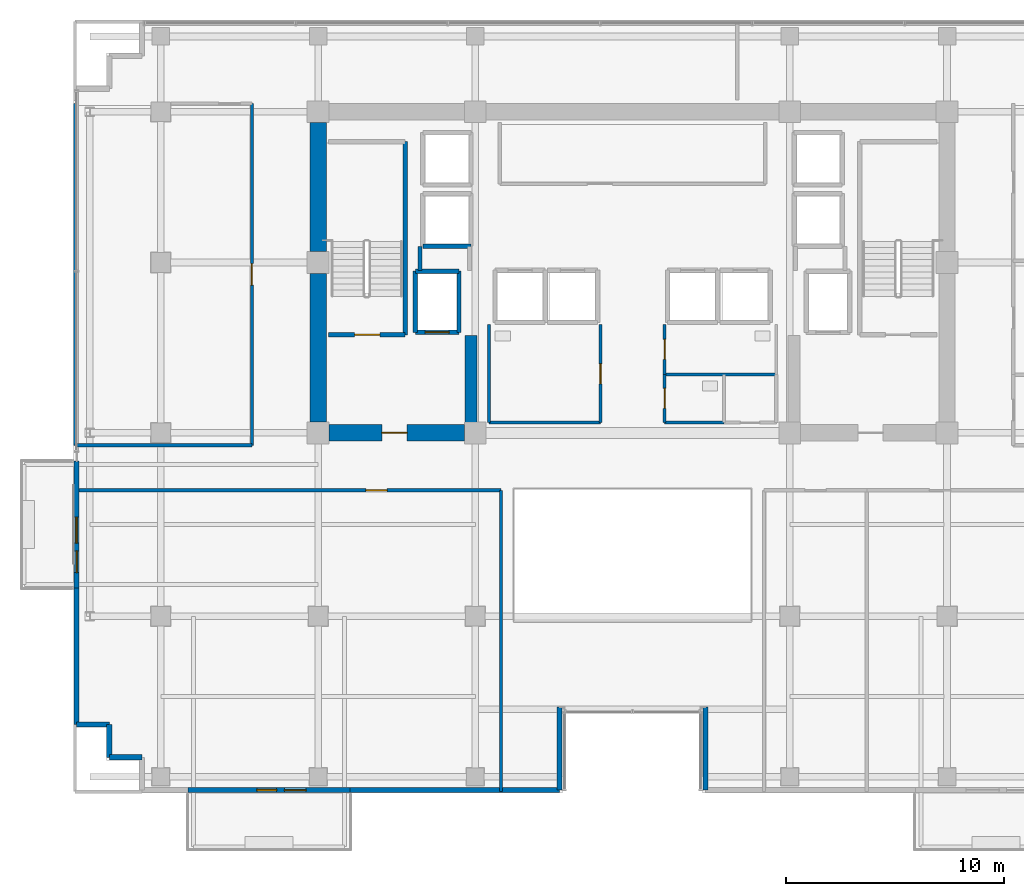
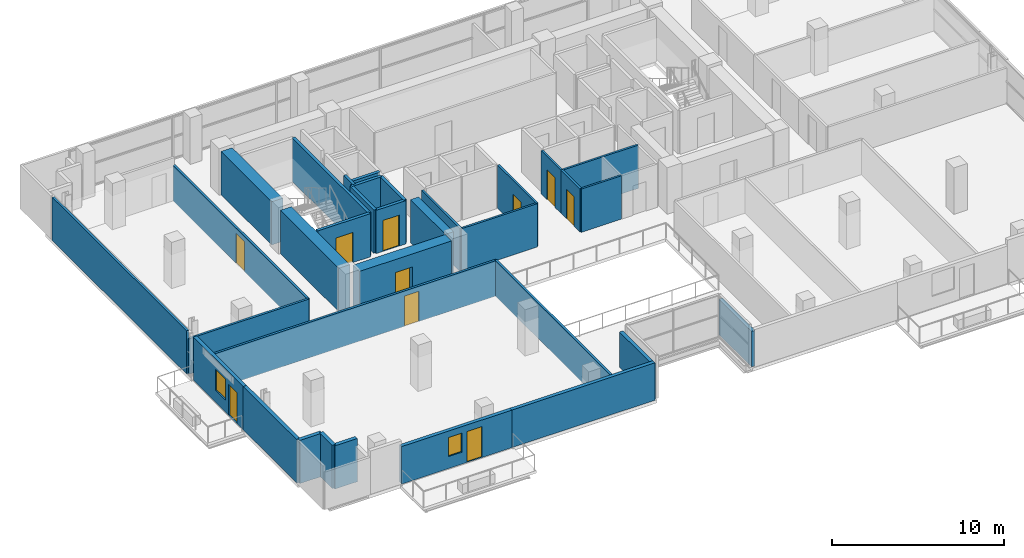
# One storey, part 15 of 23: 33 walls, 10 doors, 2 windows, 12 openings.
"""IFC4 building model written with IfcOpenShell, lengths in metres."""

from ifc_helpers import new_model, si_unit, direction, frame, frame_2d, origin, place, context, subcontext, project, spatial, rectangle, extrude, source, transform, mapped, material, layer, layer_set, type_object, element, fill, save


model = new_model("IFC4")

# Units and contexts
model_context = context("Model", 3, precision=1e-05, world=origin(), true_north=direction((0.0, 1.0)))
body_context = subcontext(model_context, "Body", "Model", "MODEL_VIEW")
ifc_project = project(units=[si_unit("LENGTHUNIT", "METRE"), si_unit("AREAUNIT", "SQUARE_METRE"), si_unit("VOLUMEUNIT", "CUBIC_METRE"), si_unit("PLANEANGLEUNIT", "RADIAN"), si_unit("MASSUNIT", "GRAM", prefix="KILO")], contexts=[model_context])

# Site, building, storey
site_placement = place(None, origin())
site = spatial("IfcSite", under=ifc_project, at=site_placement, CompositionType="ELEMENT")
building_placement = place(site_placement, origin())
building = spatial("IfcBuilding", under=site, at=building_placement, Name="Zarnakvel Exchange Tower", CompositionType="ELEMENT")
storey_placement = place(building_placement, frame((0.0, 0.0, 123.10009765625)))
storey = spatial("IfcBuildingStorey", under=building, at=storey_placement, Name="L34", CompositionType="ELEMENT", Elevation=123.10009765625)

# Walls
ifc_material_1 = material(Name="Concrete C60/75", Category="concrete")
ifc_layer_1 = layer(ifc_material_1, 0.75)
ifc_layer_set_1 = layer_set([ifc_layer_1], Name="Concrete C60/75")
wall_type_1 = type_object("IfcWallType", Name="CW-C3", PredefinedType="SHEAR", material=ifc_layer_set_1)
wall_1_placement = place(storey_placement, frame((-14.39990234375, -0.699951171875, 0.0), z_axis=(0.0, 0.0, 1.0), x_axis=(0.0, 1.0, 0.0)))
element("IfcWall", 1, at=wall_1_placement, inside=storey, type_object=wall_type_1, Name="L34 Rear Core Shear Wall W1 (CW-C3)", PredefinedType="SHEAR", context=body_context, shape_type="SweptSolid", body=[
    extrude(rectangle(XDim=6.800048828125, YDim=0.75, at=frame_2d((3.39990234375, 0.0))), origin(), (0.0, 0.0, 1.0), 3.074951171875),
])
wall_2_placement = place(storey_placement, frame((-14.39990234375, 7.10009765625, 0.0), z_axis=(0.0, 0.0, 1.0), x_axis=(0.0, 1.0, 0.0)))
element("IfcWall", 2, at=wall_2_placement, inside=storey, type_object=wall_type_1, Name="L34 Rear Core Shear Wall W2 (CW-C3)", PredefinedType="SHEAR", context=body_context, shape_type="SweptSolid", body=[
    extrude(rectangle(XDim=5.89990234375, YDim=0.75, at=frame_2d((2.949951171875, 0.0))), origin(), (0.0, 0.0, 1.0), 3.074951171875),
])

# Wall, opening, door
wall_3_placement = place(storey_placement, frame((-7.699951171875, -1.199951171875, 0.0), z_axis=(0.0, 0.0, 1.0), x_axis=(-1.0, 0.0, 0.0)))
wall_3 = element("IfcWall", 3, at=wall_3_placement, inside=storey, type_object=wall_type_1, Name="L34 Rear Core Shear Wall SW (CW-C3)", PredefinedType="SHEAR", context=body_context, shape_type="SweptSolid", body=[
    extrude(rectangle(XDim=6.199951171875, YDim=0.75, at=frame_2d((3.10009765625, 0.0))), origin(), (0.0, 0.0, 1.0), 3.074951171875),
])
opening_1_placement = place(wall_3_placement, frame((2.625, 0.0, 0.0)))
opening_1 = element("IfcOpeningElement", 4, at=opening_1_placement, cuts=wall_3, Name="Opening D-L34-03", PredefinedType="OPENING", context=body_context, shape_type="SweptSolid", body=[
    extrude(rectangle(XDim=1.14990234375, YDim=2.14990234375, at=frame_2d((0.574951171875, 1.074951171875))), frame((0.0, 0.385009765625, 0.0), z_axis=(0.0, -1.0, 0.0), x_axis=(1.0, 0.0, 0.0)), (0.0, 0.0, 1.0), 0.77001953125),
])
ifc_material_2 = material(Name="Painted Galvanised Steel S355", Category="steel")
door_type_1 = type_object("IfcDoorType", Name="DT-04", OperationType="NOTDEFINED", PredefinedType="DOOR", material=ifc_material_2)
shared_shape_1 = source(origin(), body_context, "Body", "SweptSolid", [
    extrude(rectangle(XDim=1.14990234375, YDim=2.14990234375, at=frame_2d((0.574951171875, 1.074951171875))), frame((0.0, 0.02490234375, 0.0), z_axis=(0.0, -1.0, 0.0), x_axis=(1.0, 0.0, 0.0)), (0.0, 0.0, 1.0), 0.050048828125),
])
door_1_placement = place(opening_1_placement, origin())
door_1 = element("IfcDoor", 5, at=door_1_placement, inside=storey, type_object=door_type_1, Name="L34 Firefighting Lobby West Door D-L34-03", OperationType="SINGLE_SWING_LEFT", OverallHeight=2.14990234375, OverallWidth=1.14990234375, PredefinedType="DOOR", context=body_context, shape_type="MappedRepresentation", body=[
    mapped(shared_shape_1, transform((0.0, 0.0, 0.0), x_axis=(1.0, 0.0, 0.0), y_axis=(0.0, 1.0, 0.0), z_axis=(0.0, 0.0, 1.0), scale=1.0)),
])
fill(opening_1, door_1)

# Wall
ifc_layer_2 = layer(ifc_material_1, 0.550048828125)
ifc_layer_set_2 = layer_set([ifc_layer_2], Name="Concrete C60/75")
wall_type_2 = type_object("IfcWallType", Name="CW-C4", PredefinedType="SHEAR", material=ifc_layer_set_2)
wall_4_placement = place(storey_placement, frame((-7.39990234375, -0.824951171875, 0.0), z_axis=(0.0, 0.0, 1.0), x_axis=(0.0, 1.0, 0.0)))
element("IfcWall", 6, at=wall_4_placement, inside=storey, type_object=wall_type_2, Name="L34 Rear Core Shear Wall IW (CW-C4)", PredefinedType="SHEAR", context=body_context, shape_type="SweptSolid", body=[
    extrude(rectangle(XDim=4.074951171875, YDim=0.550048828125, at=frame_2d((2.03759765625, 0.0))), origin(), (0.0, 0.0, 1.0), 3.074951171875),
])

# Wall, openings, door, window
ifc_material_3 = material(Name="Precast concrete C40/50", Category="concrete")
ifc_layer_3 = layer(ifc_material_3, 0.239990234375)
ifc_layer_set_3 = layer_set([ifc_layer_3], Name="Precast concrete C40/50")
wall_type_3 = type_object("IfcWallType", Name="EW-02", PredefinedType="SOLIDWALL", material=ifc_layer_set_3)
wall_5_placement = place(storey_placement, frame((-12.949951171875, -17.56005859375, 0.0), z_axis=(0.0, 0.0, 1.0), x_axis=(-1.0, 0.0, 0.0)))
wall_5 = element("IfcWall", 7, at=wall_5_placement, inside=storey, type_object=wall_type_3, Name="L34 Exterior Precast Spandrel Wall EW-BAL-L34-SW (EW-02)", PredefinedType="SOLIDWALL", context=body_context, shape_type="SweptSolid", body=[
    extrude(rectangle(XDim=7.400146484375, YDim=0.239990234375, at=frame_2d((3.7001953125, 0.0))), origin(), (0.0, 0.0, 1.0), 2.664794921875),
])
opening_2_placement = place(wall_5_placement, frame((1.998046875, 0.0, 0.0)))
opening_2 = element("IfcOpeningElement", 8, at=opening_2_placement, cuts=wall_5, Name="Opening BD-L34-01", PredefinedType="OPENING", context=body_context, shape_type="SweptSolid", body=[
    extrude(rectangle(XDim=1.0, YDim=2.199951171875, at=frame_2d((0.5, 1.10009765625))), frame((0.0, 0.1298828125, 0.0), z_axis=(0.0, -1.0, 0.0), x_axis=(1.0, 0.0, 0.0)), (0.0, 0.0, 1.0), 0.260009765625),
])
opening_3_placement = place(wall_5_placement, frame((3.347900390625, 0.0, 0.85009765625)))
opening_3 = element("IfcOpeningElement", 9, at=opening_3_placement, cuts=wall_5, Name="Opening WN-06", PredefinedType="OPENING", context=body_context, shape_type="SweptSolid", body=[
    extrude(rectangle(XDim=0.89990234375, YDim=1.35009765625, at=frame_2d((0.449951171875, 0.675048828125))), frame((0.0, 0.1298828125, 0.0), z_axis=(0.0, -1.0, 0.0), x_axis=(1.0, 0.0, 0.0)), (0.0, 0.0, 1.0), 0.260009765625),
])
ifc_material_4 = material(Name="Architectural Bronze Anodised Aluminium", Category="aluminium")
door_type_2 = type_object("IfcDoorType", Name="DT-09", OperationType="NOTDEFINED", PredefinedType="DOOR", material=ifc_material_4)
shared_shape_2 = source(origin(), body_context, "Body", "SweptSolid", [
    extrude(rectangle(XDim=1.0, YDim=2.199951171875, at=frame_2d((0.5, 1.10009765625))), frame((0.0, 0.02490234375, 0.0), z_axis=(0.0, -1.0, 0.0), x_axis=(1.0, 0.0, 0.0)), (0.0, 0.0, 1.0), 0.050048828125),
])
door_2_placement = place(opening_2_placement, origin())
door_2 = element("IfcDoor", 10, at=door_2_placement, inside=storey, type_object=door_type_2, Name="L34 Planted Loggia Balcony Door BD-L34-01", OperationType="SINGLE_SWING_RIGHT", OverallHeight=2.199951171875, OverallWidth=1.0, PredefinedType="DOOR", context=body_context, shape_type="MappedRepresentation", body=[
    mapped(shared_shape_2, transform((0.0, 0.0, 0.0), x_axis=(1.0, 0.0, 0.0), y_axis=(0.0, 1.0, 0.0), z_axis=(0.0, 0.0, 1.0), scale=1.0)),
])
fill(opening_2, door_2)
ifc_material_5 = material(Name="Double Low-E Laminated Vision Glass", Category="glass")
window_type_1 = type_object("IfcWindowType", Name="WN-06", PartitioningType="SINGLE_PANEL", PredefinedType="WINDOW", material=ifc_material_5)
shared_shape_3 = source(origin(), body_context, "Body", "SweptSolid", [
    extrude(rectangle(XDim=0.89990234375, YDim=1.35009765625, at=frame_2d((0.449951171875, 0.675048828125))), frame((0.0, 0.030029296875, 0.0), z_axis=(0.0, -1.0, 0.0), x_axis=(1.0, 0.0, 0.0)), (0.0, 0.0, 1.0), 0.06005859375),
])
window_1_placement = place(opening_3_placement, origin())
window_1 = element("IfcWindow", 11, at=window_1_placement, inside=storey, type_object=window_type_1, Name="L34 Loggia Daylight Window (WN-06)", OverallHeight=1.35009765625, OverallWidth=0.89990234375, PartitioningType="SINGLE_PANEL", PredefinedType="WINDOW", context=body_context, shape_type="MappedRepresentation", body=[
    mapped(shared_shape_3, transform((0.0, 0.0, 0.0), x_axis=(1.0, 0.0, 0.0), y_axis=(0.0, 1.0, 0.0), z_axis=(0.0, 0.0, 1.0), scale=1.0)),
])
fill(opening_3, window_1)

wall_6_placement = place(storey_placement, frame((-25.4599609375, -8.300048828125, 0.0), z_axis=(0.0, 0.0, 1.0), x_axis=(0.0, 1.0, 0.0)))
wall_6 = element("IfcWall", 12, at=wall_6_placement, inside=storey, type_object=wall_type_3, Name="L34 Exterior Precast Spandrel Wall EW-BAL-L34-W (EW-02)", PredefinedType="SOLIDWALL", context=body_context, shape_type="SweptSolid", body=[
    extrude(rectangle(XDim=5.800048828125, YDim=0.239990234375, at=frame_2d((2.89990234375, 0.0))), origin(), (0.0, 0.0, 1.0), 3.074951171875),
])
opening_4_placement = place(wall_6_placement, frame((0.696044921875, 0.0, 0.0)))
opening_4 = element("IfcOpeningElement", 13, at=opening_4_placement, cuts=wall_6, Name="Opening BD-L34-03", PredefinedType="OPENING", context=body_context, shape_type="SweptSolid", body=[
    extrude(rectangle(XDim=1.0, YDim=2.199951171875, at=frame_2d((0.5, 1.10009765625))), frame((0.0, 0.1298828125, 0.0), z_axis=(0.0, -1.0, 0.0), x_axis=(1.0, 0.0, 0.0)), (0.0, 0.0, 1.0), 0.260009765625),
])
opening_5_placement = place(wall_6_placement, frame((2.0458984375, 0.0, 0.85009765625)))
opening_5 = element("IfcOpeningElement", 14, at=opening_5_placement, cuts=wall_6, Name="Opening WN-04", PredefinedType="OPENING", context=body_context, shape_type="SweptSolid", body=[
    extrude(rectangle(XDim=1.199951171875, YDim=1.5, at=frame_2d((0.60009765625, 0.75))), frame((0.0, 0.1298828125, 0.0), z_axis=(0.0, -1.0, 0.0), x_axis=(1.0, 0.0, 0.0)), (0.0, 0.0, 1.0), 0.260009765625),
])
door_3_placement = place(opening_4_placement, origin())
door_3 = element("IfcDoor", 15, at=door_3_placement, inside=storey, type_object=door_type_2, Name="L34 Planted Loggia Balcony Door BD-L34-03", OperationType="SINGLE_SWING_RIGHT", OverallHeight=2.199951171875, OverallWidth=1.0, PredefinedType="DOOR", context=body_context, shape_type="MappedRepresentation", body=[
    mapped(shared_shape_2, transform((0.0, 0.0, 0.0), x_axis=(1.0, 0.0, 0.0), y_axis=(0.0, 1.0, 0.0), z_axis=(0.0, 0.0, 1.0), scale=1.0)),
])
fill(opening_4, door_3)
window_type_2 = type_object("IfcWindowType", Name="WN-04", PartitioningType="SINGLE_PANEL", PredefinedType="WINDOW", material=ifc_material_5)
shared_shape_4 = source(origin(), body_context, "Body", "SweptSolid", [
    extrude(rectangle(XDim=1.199951171875, YDim=1.5, at=frame_2d((0.60009765625, 0.75))), frame((0.0, 0.030029296875, 0.0), z_axis=(0.0, -1.0, 0.0), x_axis=(1.0, 0.0, 0.0)), (0.0, 0.0, 1.0), 0.06005859375),
])
window_2_placement = place(opening_5_placement, origin())
window_2 = element("IfcWindow", 16, at=window_2_placement, inside=storey, type_object=window_type_2, Name="L34 Loggia Daylight Window (WN-04)", OverallHeight=1.5, OverallWidth=1.199951171875, PartitioningType="SINGLE_PANEL", PredefinedType="WINDOW", context=body_context, shape_type="MappedRepresentation", body=[
    mapped(shared_shape_4, transform((0.0, 0.0, 0.0), x_axis=(1.0, 0.0, 0.0), y_axis=(0.0, 1.0, 0.0), z_axis=(0.0, 0.0, 1.0), scale=1.0)),
])
fill(opening_5, window_2)

# Walls
wall_7_placement = place(storey_placement, frame((-25.4599609375, -8.300048828125, 0.0), z_axis=(0.0, 0.0, 1.0), x_axis=(0.0, -1.0, 0.0)))
element("IfcWall", 17, at=wall_7_placement, inside=storey, type_object=wall_type_3, Name="L34 Exterior Precast Spandrel Wall EWC-L34-01 (EW-02)", PredefinedType="SOLIDWALL", context=body_context, shape_type="SweptSolid", body=[
    extrude(rectangle(XDim=6.260009765625, YDim=0.239990234375, at=frame_2d((3.1298828125, 0.0))), origin(), (0.0, 0.0, 1.0), 3.074951171875),
])
for number, where, z_axis, x_axis, name in (
    (18, (3.340087890625, -13.760009765625, 0.0), (0.0, 0.0, 1.0), (0.0, -1.0, 0.0), "L34 Exterior Precast Spandrel Wall EWC-L34-17 (EW-02)"),
    (19, (-3.340087890625, -17.56005859375, 0.0), (0.0, 0.0, 1.0), (0.0, 1.0, 0.0), "L34 Exterior Precast Spandrel Wall EWC-L34-20 (EW-02)"),
):
    element("IfcWall", number, at=place(storey_placement, frame(where, z_axis=z_axis, x_axis=x_axis)), inside=storey, type_object=wall_type_3, Name=name, PredefinedType="SOLIDWALL", context=body_context, shape_type="SweptSolid", body=[
        extrude(rectangle(XDim=3.800048828125, YDim=0.239990234375, at=frame_2d((1.89990234375, 0.0))), origin(), (0.0, 0.0, 1.0), 2.514892578125),
    ])
wall_8_placement = place(storey_placement, frame((-12.949951171875, -17.56005859375, 0.0), z_axis=(0.0, 0.0, 1.0), x_axis=(1.0, 0.0, 0.0)))
element("IfcWall", 20, at=wall_8_placement, inside=storey, type_object=wall_type_3, Name="L34 Exterior Precast Spandrel Wall EWC-L34-21 (EW-02)", PredefinedType="SOLIDWALL", context=body_context, shape_type="SweptSolid", body=[
    extrude(rectangle(XDim=9.60986328125, YDim=0.239990234375, at=frame_2d((4.804931640625, 0.0))), origin(), (0.0, 0.0, 1.0), 2.664794921875),
])
for number, where, z_axis, x_axis, name in (
    (21, (-23.9599609375, -16.06005859375, 0.0), (0.0, 0.0, 1.0), (1.0, 0.0, 0.0), "L34 Exterior Precast Spandrel Wall EWC-L34-24 (EW-02)"),
    (22, (-23.9599609375, -14.56005859375, 0.0), (0.0, 0.0, 1.0), (0.0, -1.0, 0.0), "L34 Exterior Precast Spandrel Wall EWC-L34-25 (EW-02)"),
    (23, (-25.4599609375, -14.56005859375, 0.0), (0.0, 0.0, 1.0), (1.0, 0.0, 0.0), "L34 Exterior Precast Spandrel Wall EWC-L34-26 (EW-02)"),
):
    element("IfcWall", number, at=place(storey_placement, frame(where, z_axis=z_axis, x_axis=x_axis)), inside=storey, type_object=wall_type_3, Name=name, PredefinedType="SOLIDWALL", context=body_context, shape_type="SweptSolid", body=[
        extrude(rectangle(XDim=1.5, YDim=0.239990234375, at=frame_2d((0.75, 0.0))), origin(), (0.0, 0.0, 1.0), 3.074951171875),
    ])

# Wall, opening, door
ifc_material_6 = material(Name="Fire-Rated Gypsum Stud Partition", Category="gypsum")
ifc_layer_4 = layer(ifc_material_6, 0.14990234375)
ifc_layer_set_4 = layer_set([ifc_layer_4], Name="Fire-Rated Gypsum Stud Partition")
wall_type_4 = type_object("IfcWallType", Name="PT-01", PredefinedType="PARTITIONING", material=ifc_layer_set_4)
wall_9_placement = place(storey_placement, frame((-25.530029296875, -3.830078125, 0.0), z_axis=(0.0, 0.0, 1.0), x_axis=(1.0, 0.0, 0.0)))
wall_9 = element("IfcWall", 24, at=wall_9_placement, inside=storey, type_object=wall_type_4, Name="L34 Partition Wall PWALL-L34-026 (PT-01)", PredefinedType="PARTITIONING", context=body_context, shape_type="SweptSolid", body=[
    extrude(rectangle(XDim=19.510009765625, YDim=0.14990234375, at=frame_2d((9.7548828125, 0.0))), origin(), (0.0, 0.0, 1.0), 2.514892578125),
])
opening_6_placement = place(wall_9_placement, frame((13.31494140625, 0.0, 0.0)))
opening_6 = element("IfcOpeningElement", 25, at=opening_6_placement, cuts=wall_9, Name="Opening D-L34-10", PredefinedType="OPENING", context=body_context, shape_type="SweptSolid", body=[
    extrude(rectangle(XDim=0.97998046875, YDim=2.14990234375, at=frame_2d((0.489990234375, 1.074951171875))), frame((0.0, 0.0849609375, 0.0), z_axis=(0.0, -1.0, 0.0), x_axis=(1.0, 0.0, 0.0)), (0.0, 0.0, 1.0), 0.169921875),
])
ifc_material_7 = material(Name="Timber Acoustic Veneer", Category="wood")
door_type_3 = type_object("IfcDoorType", Name="DT-05", OperationType="NOTDEFINED", PredefinedType="DOOR", material=ifc_material_7)
shared_shape_5 = source(origin(), body_context, "Body", "SweptSolid", [
    extrude(rectangle(XDim=0.97998046875, YDim=2.14990234375, at=frame_2d((0.489990234375, 1.074951171875))), frame((0.0, 0.02490234375, 0.0), z_axis=(0.0, -1.0, 0.0), x_axis=(1.0, 0.0, 0.0)), (0.0, 0.0, 1.0), 0.050048828125),
])
door_4_placement = place(opening_6_placement, origin())
door_4 = element("IfcDoor", 26, at=door_4_placement, inside=storey, type_object=door_type_3, Name="L34 Equities Trading Floor Door D-L34-10", OperationType="SINGLE_SWING_RIGHT", OverallHeight=2.14990234375, OverallWidth=0.97998046875, PredefinedType="DOOR", context=body_context, shape_type="MappedRepresentation", body=[
    mapped(shared_shape_5, transform((0.0, 0.0, 0.0), x_axis=(1.0, 0.0, 0.0), y_axis=(0.0, 1.0, 0.0), z_axis=(0.0, 0.0, 1.0), scale=1.0)),
])
fill(opening_6, door_4)

# Walls
wall_10_placement = place(storey_placement, frame((-6.02001953125, -3.830078125, 0.0), z_axis=(0.0, 0.0, 1.0), x_axis=(0.0, -1.0, 0.0)))
element("IfcWall", 27, at=wall_10_placement, inside=storey, type_object=wall_type_4, Name="L34 Partition Wall PWALL-L34-028 (PT-01)", PredefinedType="PARTITIONING", context=body_context, shape_type="SweptSolid", body=[
    extrude(rectangle(XDim=13.7998046875, YDim=0.14990234375, at=frame_2d((6.89990234375, 0.0))), origin(), (0.0, 0.0, 1.0), 2.514892578125),
])
wall_11_placement = place(storey_placement, frame((-17.429931640625, -1.77001953125, 0.0), z_axis=(0.0, 0.0, 1.0), x_axis=(-1.0, 0.0, 0.0)))
element("IfcWall", 28, at=wall_11_placement, inside=storey, type_object=wall_type_4, Name="L34 Partition Wall PWALL-L34-036 (PT-01)", PredefinedType="PARTITIONING", context=body_context, shape_type="SweptSolid", body=[
    extrude(rectangle(XDim=8.10009765625, YDim=0.14990234375, at=frame_2d((4.050048828125, 0.0))), origin(), (0.0, 0.0, 1.0), 2.514892578125),
])
wall_12_placement = place(storey_placement, frame((-25.530029296875, -1.77001953125, 0.0), z_axis=(0.0, 0.0, 1.0), x_axis=(0.0, 1.0, 0.0)))
element("IfcWall", 29, at=wall_12_placement, inside=storey, type_object=wall_type_4, Name="L34 Partition Wall PWALL-L34-038 (PT-01)", PredefinedType="PARTITIONING", context=body_context, shape_type="SweptSolid", body=[
    extrude(rectangle(XDim=15.64990234375, YDim=0.14990234375, at=frame_2d((7.824951171875, 0.0))), origin(), (0.0, 0.0, 1.0), 3.074951171875),
])

# Wall, opening, door
wall_13_placement = place(storey_placement, frame((-17.429931640625, 13.8798828125, 0.0), z_axis=(0.0, 0.0, 1.0), x_axis=(0.0, -1.0, 0.0)))
wall_13 = element("IfcWall", 30, at=wall_13_placement, inside=storey, type_object=wall_type_4, Name="L34 Partition Wall PWALL-L34-039 (PT-01)", PredefinedType="PARTITIONING", context=body_context, shape_type="SweptSolid", body=[
    extrude(rectangle(XDim=15.64990234375, YDim=0.14990234375, at=frame_2d((7.824951171875, 0.0))), origin(), (0.0, 0.0, 1.0), 2.514892578125),
])
opening_7_placement = place(wall_13_placement, frame((7.3349609375, 0.0, 0.0)))
opening_7 = element("IfcOpeningElement", 31, at=opening_7_placement, cuts=wall_13, Name="Opening D-L34-13", PredefinedType="OPENING", context=body_context, shape_type="SweptSolid", body=[
    extrude(rectangle(XDim=0.97998046875, YDim=2.14990234375, at=frame_2d((0.489990234375, 1.074951171875))), frame((0.0, 0.0849609375, 0.0), z_axis=(0.0, -1.0, 0.0), x_axis=(1.0, 0.0, 0.0)), (0.0, 0.0, 1.0), 0.169921875),
])
door_5_placement = place(opening_7_placement, origin())
door_5 = element("IfcDoor", 32, at=door_5_placement, inside=storey, type_object=door_type_3, Name="L34 Executive Office Door D-L34-13", OperationType="SINGLE_SWING_LEFT", OverallHeight=2.14990234375, OverallWidth=0.97998046875, PredefinedType="DOOR", context=body_context, shape_type="MappedRepresentation", body=[
    mapped(shared_shape_5, transform((0.0, 0.0, 0.0), x_axis=(1.0, 0.0, 0.0), y_axis=(0.0, 1.0, 0.0), z_axis=(0.0, 0.0, 1.0), scale=1.0)),
])
fill(opening_7, door_5)

# Walls
ifc_layer_5 = layer(ifc_material_6, 0.179931640625)
ifc_layer_set_5 = layer_set([ifc_layer_5], Name="Fire-Rated Gypsum Stud Partition")
wall_type_5 = type_object("IfcWallType", Name="PT-02", PredefinedType="PARTITIONING", material=ifc_layer_set_5)
wall_14_placement = place(storey_placement, frame((-9.72998046875, 6.239990234375, 0.0), z_axis=(0.0, 0.0, 1.0), x_axis=(0.0, 1.0, 0.0)))
element("IfcWall", 33, at=wall_14_placement, inside=storey, type_object=wall_type_5, Name="L34 Partition Wall PWALL-L34-007 (PT-02)", PredefinedType="PARTITIONING", context=body_context, shape_type="SweptSolid", body=[
    extrude(rectangle(XDim=1.090087890625, YDim=0.179931640625, at=frame_2d((0.544921875, 0.0))), origin(), (0.0, 0.0, 1.0), 3.074951171875),
])
ifc_material_8 = material(Name="Moisture-Resistant Tile-Faced Partition", Category="gypsum")
ifc_layer_6 = layer(ifc_material_8, 0.135009765625)
ifc_layer_set_6 = layer_set([ifc_layer_6], Name="Moisture-Resistant Tile-Faced Partition")
wall_type_6 = type_object("IfcWallType", Name="PT-03", PredefinedType="PARTITIONING", material=ifc_layer_set_6)
wall_15_placement = place(storey_placement, frame((-1.469970703125, -0.72998046875, 0.0), z_axis=(0.0, 0.0, 1.0), x_axis=(-1.0, 0.0, 0.0)))
element("IfcWall", 34, at=wall_15_placement, inside=storey, type_object=wall_type_6, Name="L34 Partition Wall PWALL-L34-014 (PT-03)", PredefinedType="PARTITIONING", context=body_context, shape_type="SweptSolid", body=[
    extrude(rectangle(XDim=5.110107421875, YDim=0.135009765625, at=frame_2d((2.55517578125, 0.0))), origin(), (0.0, 0.0, 1.0), 3.074951171875),
])
wall_16_placement = place(storey_placement, frame((-6.580078125, -0.72998046875, 0.0), z_axis=(0.0, 0.0, 1.0), x_axis=(0.0, 1.0, 0.0)))
element("IfcWall", 35, at=wall_16_placement, inside=storey, type_object=wall_type_6, Name="L34 Partition Wall PWALL-L34-015 (PT-03)", PredefinedType="PARTITIONING", context=body_context, shape_type="SweptSolid", body=[
    extrude(rectangle(XDim=4.489990234375, YDim=0.135009765625, at=frame_2d((2.2451171875, 0.0))), origin(), (0.0, 0.0, 1.0), 3.074951171875),
])

# Wall, opening, door
wall_17_placement = place(storey_placement, frame((-1.469970703125, 3.760009765625, 0.0), z_axis=(0.0, 0.0, 1.0), x_axis=(0.0, -1.0, 0.0)))
wall_17 = element("IfcWall", 36, at=wall_17_placement, inside=storey, type_object=wall_type_6, Name="L34 Partition Wall PWALL-L34-016 (PT-03)", PredefinedType="PARTITIONING", context=body_context, shape_type="SweptSolid", body=[
    extrude(rectangle(XDim=4.489990234375, YDim=0.135009765625, at=frame_2d((2.2451171875, 0.0))), origin(), (0.0, 0.0, 1.0), 3.074951171875),
])
opening_8_placement = place(wall_17_placement, frame((1.800048828125, 0.0, 0.0)))
opening_8 = element("IfcOpeningElement", 37, at=opening_8_placement, cuts=wall_17, Name="Opening D-L34-06", PredefinedType="OPENING", context=body_context, shape_type="SweptSolid", body=[
    extrude(rectangle(XDim=0.919921875, YDim=2.10009765625, at=frame_2d((0.4599609375, 1.050048828125))), frame((0.0, 0.077392578125, 0.0), z_axis=(0.0, -1.0, 0.0), x_axis=(1.0, 0.0, 0.0)), (0.0, 0.0, 1.0), 0.155029296875),
])
ifc_material_9 = material(Name="Moisture-Resistant Laminate Timber", Category="wood")
door_type_4 = type_object("IfcDoorType", Name="DT-07", OperationType="NOTDEFINED", PredefinedType="DOOR", material=ifc_material_9)
shared_shape_6 = source(origin(), body_context, "Body", "SweptSolid", [
    extrude(rectangle(XDim=0.919921875, YDim=2.10009765625, at=frame_2d((0.4599609375, 1.050048828125))), frame((0.0, 0.02490234375, 0.0), z_axis=(0.0, -1.0, 0.0), x_axis=(1.0, 0.0, 0.0)), (0.0, 0.0, 1.0), 0.050048828125),
])
door_6_placement = place(opening_8_placement, origin())
door_6 = element("IfcDoor", 38, at=door_6_placement, inside=storey, type_object=door_type_4, Name="L34 Male Toilet Door D-L34-06", OperationType="SINGLE_SWING_RIGHT", OverallHeight=2.10009765625, OverallWidth=0.919921875, PredefinedType="DOOR", context=body_context, shape_type="MappedRepresentation", body=[
    mapped(shared_shape_6, transform((0.0, 0.0, 0.0), x_axis=(1.0, 0.0, 0.0), y_axis=(0.0, 1.0, 0.0), z_axis=(0.0, 0.0, 1.0), scale=1.0)),
])
fill(opening_8, door_6)

# Wall
wall_18_placement = place(storey_placement, frame((6.580078125, 1.47998046875, 0.0), z_axis=(0.0, 0.0, 1.0), x_axis=(-1.0, 0.0, 0.0)))
element("IfcWall", 39, at=wall_18_placement, inside=storey, type_object=wall_type_6, Name="L34 Partition Wall PWALL-L34-017 (PT-03)", PredefinedType="PARTITIONING", context=body_context, shape_type="SweptSolid", body=[
    extrude(rectangle(XDim=5.110107421875, YDim=0.135009765625, at=frame_2d((2.55517578125, 0.0))), origin(), (0.0, 0.0, 1.0), 3.074951171875),
])

# Wall, opening, door
wall_19_placement = place(storey_placement, frame((1.469970703125, 1.47998046875, 0.0), z_axis=(0.0, 0.0, 1.0), x_axis=(0.0, 1.0, 0.0)))
wall_19 = element("IfcWall", 40, at=wall_19_placement, inside=storey, type_object=wall_type_6, Name="L34 Partition Wall PWALL-L34-018 (PT-03)", PredefinedType="PARTITIONING", context=body_context, shape_type="SweptSolid", body=[
    extrude(rectangle(XDim=2.280029296875, YDim=0.135009765625, at=frame_2d((1.14013671875, 0.0))), origin(), (0.0, 0.0, 1.0), 3.074951171875),
])
opening_9_placement = place(wall_19_placement, frame((0.679931640625, 0.0, 0.0)))
opening_9 = element("IfcOpeningElement", 41, at=opening_9_placement, cuts=wall_19, Name="Opening D-L34-07", PredefinedType="OPENING", context=body_context, shape_type="SweptSolid", body=[
    extrude(rectangle(XDim=0.919921875, YDim=2.10009765625, at=frame_2d((0.4599609375, 1.050048828125))), frame((0.0, 0.077392578125, 0.0), z_axis=(0.0, -1.0, 0.0), x_axis=(1.0, 0.0, 0.0)), (0.0, 0.0, 1.0), 0.155029296875),
])
door_7_placement = place(opening_9_placement, origin())
door_7 = element("IfcDoor", 42, at=door_7_placement, inside=storey, type_object=door_type_4, Name="L34 Female Toilet Door D-L34-07", OperationType="SINGLE_SWING_LEFT", OverallHeight=2.10009765625, OverallWidth=0.919921875, PredefinedType="DOOR", context=body_context, shape_type="MappedRepresentation", body=[
    mapped(shared_shape_6, transform((0.0, 0.0, 0.0), x_axis=(1.0, 0.0, 0.0), y_axis=(0.0, 1.0, 0.0), z_axis=(0.0, 0.0, 1.0), scale=1.0)),
])
fill(opening_9, door_7)

# Wall
wall_20_placement = place(storey_placement, frame((4.179931640625, -0.72998046875, 0.0), z_axis=(0.0, 0.0, 1.0), x_axis=(-1.0, 0.0, 0.0)))
element("IfcWall", 43, at=wall_20_placement, inside=storey, type_object=wall_type_6, Name="L34 Partition Wall PWALL-L34-020 (PT-03)", PredefinedType="PARTITIONING", context=body_context, shape_type="SweptSolid", body=[
    extrude(rectangle(XDim=2.7099609375, YDim=0.135009765625, at=frame_2d((1.35498046875, 0.0))), origin(), (0.0, 0.0, 1.0), 3.074951171875),
])

# Wall, opening, door
wall_21_placement = place(storey_placement, frame((1.469970703125, -0.72998046875, 0.0), z_axis=(0.0, 0.0, 1.0), x_axis=(0.0, 1.0, 0.0)))
wall_21 = element("IfcWall", 44, at=wall_21_placement, inside=storey, type_object=wall_type_6, Name="L34 Partition Wall PWALL-L34-021 (PT-03)", PredefinedType="PARTITIONING", context=body_context, shape_type="SweptSolid", body=[
    extrude(rectangle(XDim=2.2099609375, YDim=0.135009765625, at=frame_2d((1.10498046875, 0.0))), origin(), (0.0, 0.0, 1.0), 3.074951171875),
])
opening_10_placement = place(wall_21_placement, frame((0.64990234375, 0.0, 0.0)))
opening_10 = element("IfcOpeningElement", 45, at=opening_10_placement, cuts=wall_21, Name="Opening D-L34-08", PredefinedType="OPENING", context=body_context, shape_type="SweptSolid", body=[
    extrude(rectangle(XDim=0.919921875, YDim=2.10009765625, at=frame_2d((0.4599609375, 1.050048828125))), frame((0.0, 0.077392578125, 0.0), z_axis=(0.0, -1.0, 0.0), x_axis=(1.0, 0.0, 0.0)), (0.0, 0.0, 1.0), 0.155029296875),
])
door_8_placement = place(opening_10_placement, origin())
door_8 = element("IfcDoor", 46, at=door_8_placement, inside=storey, type_object=door_type_4, Name="L34 Accessible Toilet Door D-L34-08", OperationType="SINGLE_SWING_RIGHT", OverallHeight=2.10009765625, OverallWidth=0.919921875, PredefinedType="DOOR", context=body_context, shape_type="MappedRepresentation", body=[
    mapped(shared_shape_6, transform((0.0, 0.0, 0.0), x_axis=(1.0, 0.0, 0.0), y_axis=(0.0, 1.0, 0.0), z_axis=(0.0, 0.0, 1.0), scale=1.0)),
])
fill(opening_10, door_8)

ifc_material_10 = material(Name="Concrete C40/50", Category="concrete")
ifc_layer_7 = layer(ifc_material_10, 0.199951171875)
ifc_layer_set_7 = layer_set([ifc_layer_7], Name="Concrete C40/50")
wall_type_7 = type_object("IfcWallType", Name="SW-01", PredefinedType="SOLIDWALL", material=ifc_layer_set_7)
wall_22_placement = place(storey_placement, frame((-7.949951171875, 3.39990234375, 0.0), z_axis=(0.0, 0.0, 1.0), x_axis=(-1.0, 0.0, 0.0)))
wall_22 = element("IfcWall", 47, at=wall_22_placement, inside=storey, type_object=wall_type_7, Name="L34 FL-01 Hoistway Wall South", PredefinedType="SOLIDWALL", context=body_context, shape_type="SweptSolid", body=[
    extrude(rectangle(XDim=2.0, YDim=0.199951171875, at=frame_2d((1.0, 0.0))), origin(), (0.0, 0.0, 1.0), 3.074951171875),
])
opening_11_placement = place(wall_22_placement, frame((0.449951171875, 0.0, 0.0)))
opening_11 = element("IfcOpeningElement", 48, at=opening_11_placement, cuts=wall_22, Name="Opening LD-FL-01-L34", PredefinedType="OPENING", context=body_context, shape_type="SweptSolid", body=[
    extrude(rectangle(XDim=1.10009765625, YDim=2.199951171875, at=frame_2d((0.550048828125, 1.10009765625))), frame((0.0, 0.10986328125, 0.0), z_axis=(0.0, -1.0, 0.0), x_axis=(1.0, 0.0, 0.0)), (0.0, 0.0, 1.0), 0.219970703125),
])
ifc_material_11 = material(Name="Brushed Stainless Steel", Category="steel")
door_type_5 = type_object("IfcDoorType", Name="LDT-01", OperationType="NOTDEFINED", PredefinedType="DOOR", material=ifc_material_11)
shared_shape_7 = source(origin(), body_context, "Body", "SweptSolid", [
    extrude(rectangle(XDim=1.10009765625, YDim=2.199951171875, at=frame_2d((0.550048828125, 1.10009765625))), frame((0.0, 0.02490234375, 0.0), z_axis=(0.0, -1.0, 0.0), x_axis=(1.0, 0.0, 0.0)), (0.0, 0.0, 1.0), 0.050048828125),
])
door_9_placement = place(opening_11_placement, origin())
door_9 = element("IfcDoor", 49, at=door_9_placement, inside=storey, type_object=door_type_5, Name="L34 FL-01 Lift Landing Door LD-FL-01-L34", OperationType="DOUBLE_DOOR_SLIDING", OverallHeight=2.199951171875, OverallWidth=1.10009765625, PredefinedType="DOOR", context=body_context, shape_type="MappedRepresentation", body=[
    mapped(shared_shape_7, transform((0.0, 0.0, 0.0), x_axis=(1.0, 0.0, 0.0), y_axis=(0.0, 1.0, 0.0), z_axis=(0.0, 0.0, 1.0), scale=1.0)),
])
fill(opening_11, door_9)

# Walls
wall_23_placement = place(storey_placement, frame((-9.949951171875, 6.199951171875, 0.0), z_axis=(0.0, 0.0, 1.0), x_axis=(1.0, 0.0, 0.0)))
element("IfcWall", 50, at=wall_23_placement, inside=storey, type_object=wall_type_7, Name="L34 FL-01 Hoistway Wall North", PredefinedType="SOLIDWALL", context=body_context, shape_type="SweptSolid", body=[
    extrude(rectangle(XDim=2.0, YDim=0.199951171875, at=frame_2d((1.0, 0.0))), origin(), (0.0, 0.0, 1.0), 3.074951171875),
])
for number, where, z_axis, x_axis, name in (
    (51, (-9.949951171875, 3.39990234375, 0.0), (0.0, 0.0, 1.0), (0.0, 1.0, 0.0), "L34 FL-01 Hoistway Wall West"),
    (52, (-7.949951171875, 6.199951171875, 0.0), (0.0, 0.0, 1.0), (0.0, -1.0, 0.0), "L34 FL-01 Hoistway Wall East"),
):
    element("IfcWall", number, at=place(storey_placement, frame(where, z_axis=z_axis, x_axis=x_axis)), inside=storey, type_object=wall_type_7, Name=name, PredefinedType="SOLIDWALL", context=body_context, shape_type="SweptSolid", body=[
        extrude(rectangle(XDim=2.800048828125, YDim=0.199951171875, at=frame_2d((1.39990234375, 0.0))), origin(), (0.0, 0.0, 1.0), 3.074951171875),
    ])
wall_24_placement = place(storey_placement, frame((-7.39990234375, 7.35009765625, 0.0), z_axis=(0.0, 0.0, 1.0), x_axis=(-1.0, 0.0, 0.0)))
element("IfcWall", 53, at=wall_24_placement, inside=storey, type_object=wall_type_7, Name="L34 PL-09 Hoistway Wall South", PredefinedType="SOLIDWALL", context=body_context, shape_type="SweptSolid", body=[
    extrude(rectangle(XDim=2.2001953125, YDim=0.199951171875, at=frame_2d((1.10009765625, 0.0))), origin(), (0.0, 0.0, 1.0), 2.514892578125),
])

# Wall, opening, door
ifc_layer_8 = layer(ifc_material_10, 0.199951171875)
ifc_layer_set_8 = layer_set([ifc_layer_8], Name="Concrete C40/50")
wall_type_8 = type_object("IfcWallType", Name="SW-02", PredefinedType="SOLIDWALL", material=ifc_layer_set_8)
wall_25_placement = place(storey_placement, frame((-10.409912109375, 3.2900390625, 0.0), z_axis=(0.0, 0.0, 1.0), x_axis=(-1.0, 0.0, 0.0)))
wall_25 = element("IfcWall", 54, at=wall_25_placement, inside=storey, type_object=wall_type_8, Name="L34 Stairwell Core Wall PWALL-L34-001 (SW-02)", PredefinedType="SOLIDWALL", context=body_context, shape_type="SweptSolid", body=[
    extrude(rectangle(XDim=3.52001953125, YDim=0.199951171875, at=frame_2d((1.760009765625, 0.0))), origin(), (0.0, 0.0, 1.0), 3.074951171875),
])
opening_12_placement = place(wall_25_placement, frame((1.1650390625, 0.0, 0.0)))
opening_12 = element("IfcOpeningElement", 55, at=opening_12_placement, cuts=wall_25, Name="Opening D-L34-01", PredefinedType="OPENING", context=body_context, shape_type="SweptSolid", body=[
    extrude(rectangle(XDim=1.14990234375, YDim=2.14990234375, at=frame_2d((0.574951171875, 1.074951171875))), frame((0.0, 0.10986328125, 0.0), z_axis=(0.0, -1.0, 0.0), x_axis=(1.0, 0.0, 0.0)), (0.0, 0.0, 1.0), 0.219970703125),
])
door_10_placement = place(opening_12_placement, origin())
door_10 = element("IfcDoor", 56, at=door_10_placement, inside=storey, type_object=door_type_1, Name="L34 Stairwell ST-01 Door D-L34-01", OperationType="SINGLE_SWING_LEFT", OverallHeight=2.14990234375, OverallWidth=1.14990234375, PredefinedType="DOOR", context=body_context, shape_type="MappedRepresentation", body=[
    mapped(shared_shape_1, transform((0.0, 0.0, 0.0), x_axis=(1.0, 0.0, 0.0), y_axis=(0.0, 1.0, 0.0), z_axis=(0.0, 0.0, 1.0), scale=1.0)),
])
fill(opening_12, door_10)

# Wall
wall_26_placement = place(storey_placement, frame((-10.409912109375, 12.1298828125, 0.0), z_axis=(0.0, 0.0, 1.0), x_axis=(0.0, -1.0, 0.0)))
element("IfcWall", 57, at=wall_26_placement, inside=storey, type_object=wall_type_8, Name="L34 Stairwell Core Wall PWALL-L34-003 (SW-02)", PredefinedType="SOLIDWALL", context=body_context, shape_type="SweptSolid", body=[
    extrude(rectangle(XDim=8.83984375, YDim=0.199951171875, at=frame_2d((4.419921875, 0.0))), origin(), (0.0, 0.0, 1.0), 3.074951171875),
])

save(model, "model.ifc")
